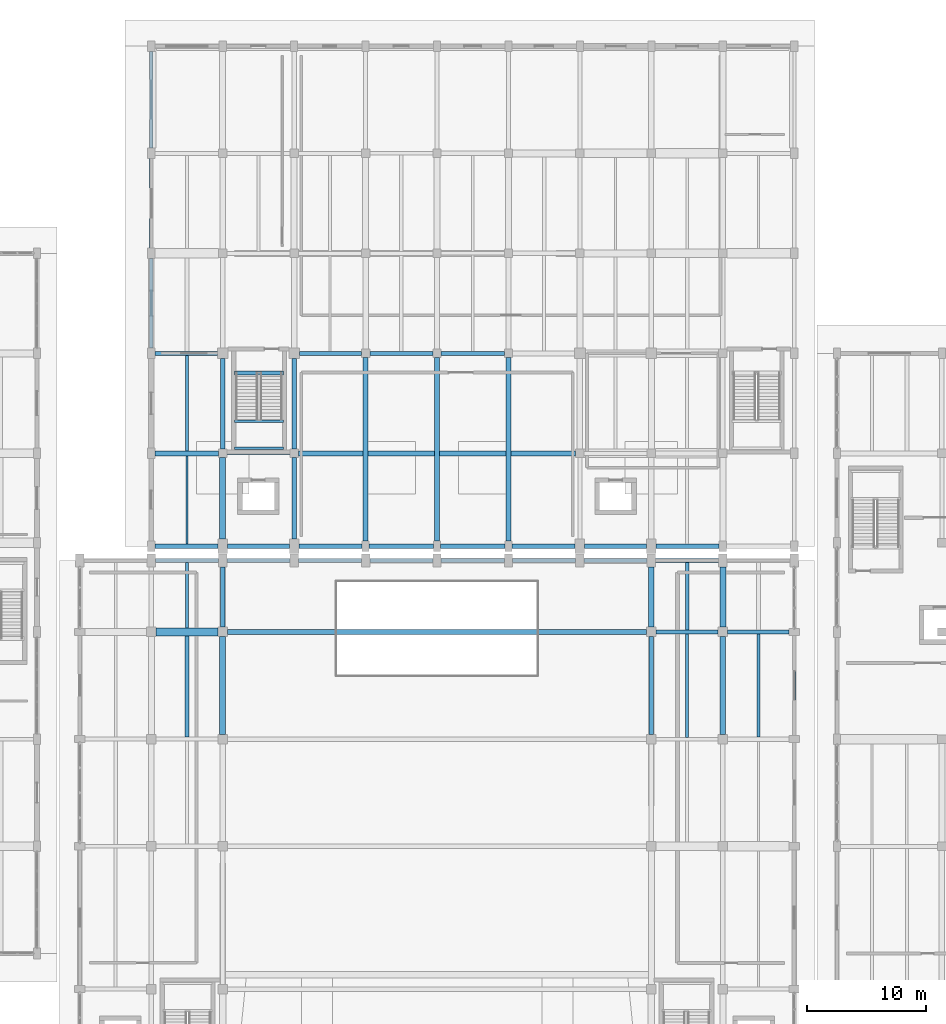
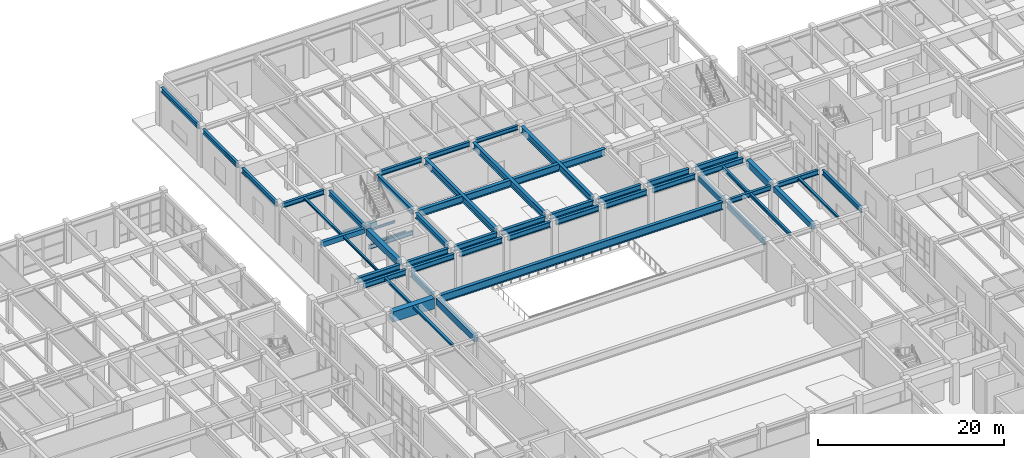
# One storey, part 43 of 91: 54 beams.
"""IFC4 building model written with IfcOpenShell, lengths in metres."""

from ifc_helpers import new_model, si_unit, direction, frame, origin, origin_2d, place, context, subcontext, project, spatial, rectangle, i_section, extrude, material, material_profile, profile_set, type_object, element, save


model = new_model("IFC4")

# Units and contexts
model_context = context("Model", 3, precision=1e-05, world=origin(), true_north=direction((0.0, 1.0)))
body_context = subcontext(model_context, "Body", "Model", "MODEL_VIEW")
ifc_project = project(units=[si_unit("LENGTHUNIT", "METRE"), si_unit("AREAUNIT", "SQUARE_METRE"), si_unit("VOLUMEUNIT", "CUBIC_METRE"), si_unit("PLANEANGLEUNIT", "RADIAN"), si_unit("MASSUNIT", "GRAM", prefix="KILO")], contexts=[model_context])

# Site, building, storey
site_placement = place(None, origin())
site = spatial("IfcSite", under=ifc_project, at=site_placement, CompositionType="ELEMENT")
building_placement = place(site_placement, origin())
building = spatial("IfcBuilding", under=site, at=building_placement, Name="Vaelkrest Opera House", CompositionType="ELEMENT")
storey_placement = place(building_placement, origin())
storey = spatial("IfcBuildingStorey", under=building, at=storey_placement, Name="L00", CompositionType="ELEMENT", Elevation=0.0)

# Beams
ifc_material_1 = material(Name="Concrete C50/60", Category="concrete")
ifc_material_profile_1 = material_profile(ifc_material_1, rectangle(XDim=0.39990234375, YDim=0.64990234375, at=origin_2d()), Name="RCB400X650")
ifc_profile_set_1 = profile_set([ifc_material_profile_1], Name="Concrete C50/60")
beam_type_1 = type_object("IfcBeamType", Name="B01", PredefinedType="BEAM", material=ifc_profile_set_1)
beam_1_placement = place(storey_placement, frame((-23.699951171875, 25.199951171875, 4.7548828125), z_axis=(1.0, 0.0, 0.0), x_axis=(0.0, 1.0, 0.0)))
element("IfcBeam", 1, at=beam_1_placement, inside=storey, type_object=beam_type_1, Name="Beam BM-V2-L00-0757", PredefinedType="BEAM", context=body_context, shape_type="SweptSolid", body=[
    extrude(rectangle(XDim=0.39990234375, YDim=0.64990234375, at=origin_2d()), origin(), (0.0, 0.0, 1.0), 5.349853515625),
])
ifc_material_profile_2 = material_profile(ifc_material_1, rectangle(XDim=0.449951171875, YDim=0.75, at=origin_2d()), Name="RCB450X750")
ifc_profile_set_2 = profile_set([ifc_material_profile_2], Name="Concrete C50/60")
beam_type_2 = type_object("IfcBeamType", Name="B02", PredefinedType="BEAM", material=ifc_profile_set_2)
beam_2_placement = place(storey_placement, frame((18.0, 10.60009765625, 4.705078125), z_axis=(0.0, 1.0, 0.0), x_axis=(-1.0, 0.0, 0.0)))
element("IfcBeam", 2, at=beam_2_placement, inside=storey, type_object=beam_type_2, Name="Beam BM-V1-L00-0175", PredefinedType="BEAM", context=body_context, shape_type="SweptSolid", body=[
    extrude(rectangle(XDim=0.449951171875, YDim=0.75, at=origin_2d()), origin(), (0.0, 0.0, 1.0), 5.0498046875),
])
beam_3_placement = place(storey_placement, frame((24.0, 1.60009765625, 4.705078125), z_axis=(0.0, 1.0, 0.0), x_axis=(-1.0, 0.0, 0.0)))
element("IfcBeam", 3, at=beam_3_placement, inside=storey, type_object=beam_type_2, Name="Beam BM-V1-L00-0179", PredefinedType="BEAM", context=body_context, shape_type="SweptSolid", body=[
    extrude(rectangle(XDim=0.449951171875, YDim=0.75, at=origin_2d()), origin(), (0.0, 0.0, 1.0), 8.199951171875),
])
ifc_material_profile_3 = material_profile(ifc_material_1, rectangle(XDim=0.5, YDim=0.85009765625, at=origin_2d()), Name="RCB500X850")
ifc_profile_set_3 = profile_set([ifc_material_profile_3], Name="Concrete C50/60")
beam_type_3 = type_object("IfcBeamType", Name="B03", PredefinedType="BEAM", material=ifc_profile_set_3)
beam_4_placement = place(storey_placement, frame((-18.0, 1.60009765625, 4.655029296875), z_axis=(0.0, 1.0, 0.0), x_axis=(-1.0, 0.0, 0.0)))
element("IfcBeam", 4, at=beam_4_placement, inside=storey, type_object=beam_type_3, Name="Beam BM-V1-L00-0160", PredefinedType="BEAM", context=body_context, shape_type="SweptSolid", body=[
    extrude(rectangle(XDim=0.5, YDim=0.85009765625, at=origin_2d()), origin(), (0.0, 0.0, 1.0), 8.199951171875),
])
beam_5_placement = place(storey_placement, frame((24.0, 10.60009765625, 4.655029296875), z_axis=(0.0, 1.0, 0.0), x_axis=(-1.0, 0.0, 0.0)))
element("IfcBeam", 5, at=beam_5_placement, inside=storey, type_object=beam_type_3, Name="Beam BM-V1-L00-0180", PredefinedType="BEAM", context=body_context, shape_type="SweptSolid", body=[
    extrude(rectangle(XDim=0.5, YDim=0.85009765625, at=origin_2d()), origin(), (0.0, 0.0, 1.0), 5.0498046875),
])
beam_6_placement = place(storey_placement, frame((-18.0, 18.0, 4.655029296875), z_axis=(0.0, 1.0, 0.0), x_axis=(-1.0, 0.0, 0.0)))
element("IfcBeam", 6, at=beam_6_placement, inside=storey, type_object=beam_type_3, Name="Beam BM-V2-L00-0800", PredefinedType="BEAM", context=body_context, shape_type="SweptSolid", body=[
    extrude(rectangle(XDim=0.5, YDim=0.85009765625, at=origin_2d()), origin(), (0.0, 0.0, 1.0), 6.85009765625),
])
ifc_material_profile_4 = material_profile(ifc_material_1, rectangle(XDim=0.699951171875, YDim=1.35009765625, at=origin_2d()), Name="RCB700X1350")
ifc_profile_set_4 = profile_set([ifc_material_profile_4], Name="Concrete C50/60")
beam_type_4 = type_object("IfcBeamType", Name="B06", PredefinedType="BEAM", material=ifc_profile_set_4)
beam_7_placement = place(storey_placement, frame((-23.60009765625, 10.199951171875, 4.405029296875), z_axis=(1.0, 0.0, 0.0), x_axis=(0.0, 1.0, 0.0)))
element("IfcBeam", 7, at=beam_7_placement, inside=storey, type_object=beam_type_4, Name="Beam BM-V1-L00-0127", PredefinedType="BEAM", context=body_context, shape_type="SweptSolid", body=[
    extrude(rectangle(XDim=0.699951171875, YDim=1.35009765625, at=origin_2d()), origin(), (0.0, 0.0, 1.0), 5.2001953125),
])
ifc_material_2 = material(Name="Steel A992 Gr50", Category="steel")
ifc_material_profile_5 = material_profile(ifc_material_2, i_section(OverallWidth=0.323974609375, OverallDepth=0.611083984375, WebThickness=0.0126953125, FlangeThickness=0.01904296875, at=origin_2d()), Name="W24X104")
ifc_profile_set_5 = profile_set([ifc_material_profile_5], Name="Steel A992 Gr50")
beam_type_5 = type_object("IfcBeamType", Name="B08", PredefinedType="BEAM", material=ifc_profile_set_5)
beam_8_placement = place(storey_placement, frame((18.39990234375, 10.199951171875, 4.7744140625), z_axis=(1.0, 0.0, 0.0), x_axis=(0.0, 1.0, 0.0)))
element("IfcBeam", 8, at=beam_8_placement, inside=storey, type_object=beam_type_5, Name="Beam BM-V1-L00-0129", PredefinedType="BEAM", context=body_context, shape_type="SweptSolid", body=[
    extrude(i_section(OverallWidth=0.323974609375, OverallDepth=0.611083984375, WebThickness=0.0126953125, FlangeThickness=0.01904296875, at=origin_2d()), origin(), (0.0, 0.0, 1.0), 5.2001953125),
])
beam_9_placement = place(storey_placement, frame((-23.699951171875, 33.60009765625, 4.7744140625), z_axis=(1.0, 0.0, 0.0), x_axis=(0.0, 1.0, 0.0)))
element("IfcBeam", 9, at=beam_9_placement, inside=storey, type_object=beam_type_5, Name="Beam BM-V2-L00-0761", PredefinedType="BEAM", context=body_context, shape_type="SweptSolid", body=[
    extrude(i_section(OverallWidth=0.323974609375, OverallDepth=0.611083984375, WebThickness=0.0126953125, FlangeThickness=0.01904296875, at=origin_2d()), origin(), (0.0, 0.0, 1.0), 5.25),
])
ifc_material_profile_6 = material_profile(ifc_material_2, i_section(OverallWidth=0.327880859375, OverallDepth=0.6279296875, WebThickness=0.0166015625, FlangeThickness=0.027587890625, at=origin_2d()), Name="W24X146")
ifc_profile_set_6 = profile_set([ifc_material_profile_6], Name="Steel A992 Gr50")
beam_type_6 = type_object("IfcBeamType", Name="B09", PredefinedType="BEAM", material=ifc_profile_set_6)
beam_10_placement = place(storey_placement, frame((24.39990234375, 10.199951171875, 4.76611328125), z_axis=(1.0, 0.0, 0.0), x_axis=(0.0, 1.0, 0.0)))
element("IfcBeam", 10, at=beam_10_placement, inside=storey, type_object=beam_type_6, Name="Beam BM-V1-L00-0130", PredefinedType="BEAM", context=body_context, shape_type="SweptSolid", body=[
    extrude(i_section(OverallWidth=0.327880859375, OverallDepth=0.6279296875, WebThickness=0.0166015625, FlangeThickness=0.027587890625, at=origin_2d()), origin(), (0.0, 0.0, 1.0), 5.150146484375),
])
beam_11_placement = place(storey_placement, frame((-11.550048828125, 33.60009765625, 4.76611328125), z_axis=(1.0, 0.0, 0.0), x_axis=(0.0, 1.0, 0.0)))
element("IfcBeam", 11, at=beam_11_placement, inside=storey, type_object=beam_type_6, Name="Beam BM-V2-L00-0762", PredefinedType="BEAM", context=body_context, shape_type="SweptSolid", body=[
    extrude(i_section(OverallWidth=0.327880859375, OverallDepth=0.6279296875, WebThickness=0.0166015625, FlangeThickness=0.027587890625, at=origin_2d()), origin(), (0.0, 0.0, 1.0), 5.199951171875),
])
ifc_material_profile_7 = material_profile(ifc_material_2, i_section(OverallWidth=0.35498046875, OverallDepth=0.695068359375, WebThickness=0.015380859375, FlangeThickness=0.02490234375, at=origin_2d()), Name="W27X146")
ifc_profile_set_7 = profile_set([ifc_material_profile_7], Name="Steel A992 Gr50")
beam_type_7 = type_object("IfcBeamType", Name="B10", PredefinedType="BEAM", material=ifc_profile_set_7)
beam_12_placement = place(storey_placement, frame((-18.0, 10.60009765625, 4.732421875), z_axis=(0.0, 1.0, 0.0), x_axis=(-1.0, 0.0, 0.0)))
element("IfcBeam", 12, at=beam_12_placement, inside=storey, type_object=beam_type_7, Name="Beam BM-V1-L00-0161", PredefinedType="BEAM", context=body_context, shape_type="SweptSolid", body=[
    extrude(i_section(OverallWidth=0.35498046875, OverallDepth=0.695068359375, WebThickness=0.015380859375, FlangeThickness=0.02490234375, at=origin_2d()), origin(), (0.0, 0.0, 1.0), 5.0498046875),
])
beam_13_placement = place(storey_placement, frame((-18.0, 25.550048828125, 4.732421875), z_axis=(0.0, 1.0, 0.0), x_axis=(-1.0, 0.0, 0.0)))
element("IfcBeam", 13, at=beam_13_placement, inside=storey, type_object=beam_type_7, Name="Beam BM-V2-L00-0801", PredefinedType="BEAM", context=body_context, shape_type="SweptSolid", body=[
    extrude(i_section(OverallWidth=0.35498046875, OverallDepth=0.695068359375, WebThickness=0.015380859375, FlangeThickness=0.02490234375, at=origin_2d()), origin(), (0.0, 0.0, 1.0), 7.599853515625),
])
beam_14_placement = place(storey_placement, frame((-12.0, 18.0, 4.732421875), z_axis=(0.0, 1.0, 0.0), x_axis=(-1.0, 0.0, 0.0)))
element("IfcBeam", 14, at=beam_14_placement, inside=storey, type_object=beam_type_7, Name="Beam BM-V2-L00-0805", PredefinedType="BEAM", context=body_context, shape_type="SweptSolid", body=[
    extrude(i_section(OverallWidth=0.35498046875, OverallDepth=0.695068359375, WebThickness=0.015380859375, FlangeThickness=0.02490234375, at=origin_2d()), origin(), (0.0, 0.0, 1.0), 6.85009765625),
])
ifc_material_profile_8 = material_profile(ifc_material_2, i_section(OverallWidth=0.39892578125, OverallDepth=0.85498046875, WebThickness=0.018310546875, FlangeThickness=0.029296875, at=origin_2d()), Name="W33X201")
ifc_profile_set_8 = profile_set([ifc_material_profile_8], Name="Steel A992 Gr50")
beam_type_8 = type_object("IfcBeamType", Name="B12", PredefinedType="BEAM", material=ifc_profile_set_8)
for number, where, z_axis, x_axis, name in (
    (15, (-6.0, 17.85009765625, 4.652587890625), (0.0, 1.0, 0.0), (-1.0, 0.0, 0.0), "Beam BM-V2-L00-0810"),
    (16, (0.0, 17.85009765625, 4.652587890625), (0.0, 1.0, 0.0), (-1.0, 0.0, 0.0), "Beam BM-V2-L00-0814"),
    (17, (6.0, 17.85009765625, 4.652587890625), (0.0, 1.0, 0.0), (-1.0, 0.0, 0.0), "Beam BM-V2-L00-0818"),
):
    element("IfcBeam", number, at=place(storey_placement, frame(where, z_axis=z_axis, x_axis=x_axis)), inside=storey, type_object=beam_type_8, Name=name, PredefinedType="BEAM", context=body_context, shape_type="SweptSolid", body=[
        extrude(i_section(OverallWidth=0.39892578125, OverallDepth=0.85498046875, WebThickness=0.018310546875, FlangeThickness=0.029296875, at=origin_2d()), origin(), (0.0, 0.0, 1.0), 15.39990234375),
    ])
ifc_material_profile_9 = material_profile(ifc_material_2, i_section(OverallWidth=0.41796875, OverallDepth=0.927001953125, WebThickness=0.019287109375, FlangeThickness=0.031982421875, at=origin_2d()), Name="W36X231")
ifc_profile_set_9 = profile_set([ifc_material_profile_9], Name="Steel A992 Gr50")
beam_type_9 = type_object("IfcBeamType", Name="B13", PredefinedType="BEAM", material=ifc_profile_set_9)
beam_15_placement = place(storey_placement, frame((-11.64990234375, 25.199951171875, 4.616455078125), z_axis=(1.0, 0.0, 0.0), x_axis=(0.0, 1.0, 0.0)))
element("IfcBeam", 18, at=beam_15_placement, inside=storey, type_object=beam_type_9, Name="Beam BM-V2-L00-0758", PredefinedType="BEAM", context=body_context, shape_type="SweptSolid", body=[
    extrude(i_section(OverallWidth=0.41796875, OverallDepth=0.927001953125, WebThickness=0.019287109375, FlangeThickness=0.031982421875, at=origin_2d()), origin(), (0.0, 0.0, 1.0), 23.2998046875),
])
ifc_material_profile_10 = material_profile(ifc_material_2, i_section(OverallWidth=0.35791015625, OverallDepth=0.7060546875, WebThickness=0.018310546875, FlangeThickness=0.0302734375, at=origin_2d()), Name="W27X178")
ifc_profile_set_10 = profile_set([ifc_material_profile_10], Name="Steel A992 Gr50")
beam_type_10 = type_object("IfcBeamType", Name="B14", PredefinedType="BEAM", material=ifc_profile_set_10)
beam_16_placement = place(storey_placement, frame((18.0, 1.60009765625, 4.72705078125), z_axis=(0.0, 1.0, 0.0), x_axis=(-1.0, 0.0, 0.0)))
element("IfcBeam", 19, at=beam_16_placement, inside=storey, type_object=beam_type_10, Name="Beam BM-V1-L00-0174", PredefinedType="BEAM", context=body_context, shape_type="SweptSolid", body=[
    extrude(i_section(OverallWidth=0.35791015625, OverallDepth=0.7060546875, WebThickness=0.018310546875, FlangeThickness=0.0302734375, at=origin_2d()), origin(), (0.0, 0.0, 1.0), 8.199951171875),
])
beam_17_placement = place(storey_placement, frame((-12.0, 25.550048828125, 4.72705078125), z_axis=(0.0, 1.0, 0.0), x_axis=(-1.0, 0.0, 0.0)))
element("IfcBeam", 20, at=beam_17_placement, inside=storey, type_object=beam_type_10, Name="Beam BM-V2-L00-0806", PredefinedType="BEAM", context=body_context, shape_type="SweptSolid", body=[
    extrude(i_section(OverallWidth=0.35791015625, OverallDepth=0.7060546875, WebThickness=0.018310546875, FlangeThickness=0.0302734375, at=origin_2d()), origin(), (0.0, 0.0, 1.0), 7.599853515625),
])
ifc_material_profile_11 = material_profile(ifc_material_2, i_section(OverallWidth=0.39990234375, OverallDepth=1.02197265625, WebThickness=0.01904296875, FlangeThickness=0.0361328125, at=origin_2d()), Name="W40X249")
ifc_profile_set_11 = profile_set([ifc_material_profile_11], Name="Steel A992 Gr50")
beam_type_11 = type_object("IfcBeamType", Name="B15", PredefinedType="BEAM", material=ifc_profile_set_11)
beam_18_placement = place(storey_placement, frame((-17.60009765625, 10.199951171875, 4.569091796875), z_axis=(1.0, 0.0, 0.0), x_axis=(0.0, 1.0, 0.0)))
element("IfcBeam", 21, at=beam_18_placement, inside=storey, type_object=beam_type_11, Name="Beam BM-V1-L00-0128", PredefinedType="BEAM", context=body_context, shape_type="SweptSolid", body=[
    extrude(i_section(OverallWidth=0.39990234375, OverallDepth=1.02197265625, WebThickness=0.01904296875, FlangeThickness=0.0361328125, at=origin_2d()), origin(), (0.0, 0.0, 1.0), 35.2001953125),
])
ifc_material_profile_12 = material_profile(ifc_material_2, i_section(OverallWidth=0.326904296875, OverallDepth=0.6220703125, WebThickness=0.015380859375, FlangeThickness=0.0244140625, at=origin_2d()), Name="W24X131")
ifc_profile_set_12 = profile_set([ifc_material_profile_12], Name="Steel A992 Gr50")
beam_type_12 = type_object("IfcBeamType", Name="B19", PredefinedType="BEAM", material=ifc_profile_set_12)
beam_19_placement = place(storey_placement, frame((-5.64990234375, 33.60009765625, 4.76904296875), z_axis=(1.0, 0.0, 0.0), x_axis=(0.0, 1.0, 0.0)))
element("IfcBeam", 22, at=beam_19_placement, inside=storey, type_object=beam_type_12, Name="Beam BM-V2-L00-0763", PredefinedType="BEAM", context=body_context, shape_type="SweptSolid", body=[
    extrude(i_section(OverallWidth=0.326904296875, OverallDepth=0.6220703125, WebThickness=0.015380859375, FlangeThickness=0.0244140625, at=origin_2d()), origin(), (0.0, 0.0, 1.0), 5.2998046875),
])
ifc_material_profile_13 = material_profile(ifc_material_2, i_section(OverallWidth=0.31494140625, OverallDepth=0.551025390625, WebThickness=0.01513671875, FlangeThickness=0.0244140625, at=origin_2d()), Name="W21X122")
ifc_profile_set_13 = profile_set([ifc_material_profile_13], Name="Steel A992 Gr50")
beam_type_13 = type_object("IfcBeamType", Name="B20", PredefinedType="BEAM", material=ifc_profile_set_13)
beam_20_placement = place(storey_placement, frame((0.35009765625, 33.60009765625, 4.804443359375), z_axis=(1.0, 0.0, 0.0), x_axis=(0.0, 1.0, 0.0)))
element("IfcBeam", 23, at=beam_20_placement, inside=storey, type_object=beam_type_13, Name="Beam BM-V2-L00-0764", PredefinedType="BEAM", context=body_context, shape_type="SweptSolid", body=[
    extrude(i_section(OverallWidth=0.31494140625, OverallDepth=0.551025390625, WebThickness=0.01513671875, FlangeThickness=0.0244140625, at=origin_2d()), origin(), (0.0, 0.0, 1.0), 5.2998046875),
])
ifc_material_profile_14 = material_profile(ifc_material_2, i_section(OverallWidth=0.202880859375, OverallDepth=0.302978515625, WebThickness=0.007568359375, FlangeThickness=0.01318359375, at=origin_2d()), Name="W12X40")
ifc_profile_set_14 = profile_set([ifc_material_profile_14], Name="Steel A992 Gr50")
beam_type_14 = type_object("IfcBeamType", Name="J02", PredefinedType="JOIST", material=ifc_profile_set_14)
beam_21_placement = place(storey_placement, frame((-21.0, 17.577392578125, 4.928466796875), z_axis=(0.0, 1.0, 0.0), x_axis=(-1.0, 0.0, 0.0)))
element("IfcBeam", 24, at=beam_21_placement, inside=storey, type_object=beam_type_14, Name="Floor joist JST-V2-L00-0842", PredefinedType="JOIST", context=body_context, shape_type="SweptSolid", body=[
    extrude(i_section(OverallWidth=0.202880859375, OverallDepth=0.302978515625, WebThickness=0.007568359375, FlangeThickness=0.01318359375, at=origin_2d()), origin(), (0.0, 0.0, 1.0), 7.422607421875),
])
for number, where, z_axis, x_axis, name in (
    (25, (-17.02001953125, 25.6201171875, 2.348388671875), (1.0, 0.0, 0.0), (0.0, 1.0, 0.0), "Stair landing bearer beam ST05 L00-1N"),
    (26, (-17.02001953125, 27.909912109375, 2.348388671875), (1.0, 0.0, 0.0), (0.0, 1.0, 0.0), "Stair landing bearer beam ST05 L00-1F"),
):
    element("IfcBeam", number, at=place(storey_placement, frame(where, z_axis=z_axis, x_axis=x_axis)), inside=storey, type_object=beam_type_14, Name=name, PredefinedType="JOIST", context=body_context, shape_type="SweptSolid", body=[
        extrude(i_section(OverallWidth=0.202880859375, OverallDepth=0.302978515625, WebThickness=0.007568359375, FlangeThickness=0.01318359375, at=origin_2d()), origin(), (0.0, 0.0, 1.0), 4.14013671875),
    ])
ifc_material_profile_15 = material_profile(ifc_material_2, i_section(OverallWidth=0.25390625, OverallDepth=0.305908203125, WebThickness=0.0087890625, FlangeThickness=0.0146484375, at=origin_2d()), Name="W12X53")
ifc_profile_set_15 = profile_set([ifc_material_profile_15], Name="Steel A992 Gr50")
beam_type_15 = type_object("IfcBeamType", Name="J03", PredefinedType="JOIST", material=ifc_profile_set_15)
beam_22_placement = place(storey_placement, frame((27.0, 1.39990234375, 4.927001953125), z_axis=(0.0, 1.0, 0.0), x_axis=(-1.0, 0.0, 0.0)))
element("IfcBeam", 27, at=beam_22_placement, inside=storey, type_object=beam_type_15, Name="Floor joist JST-V1-L00-0203", PredefinedType="JOIST", context=body_context, shape_type="SweptSolid", body=[
    extrude(i_section(OverallWidth=0.25390625, OverallDepth=0.305908203125, WebThickness=0.0087890625, FlangeThickness=0.0146484375, at=origin_2d()), origin(), (0.0, 0.0, 1.0), 8.635986328125),
])
beam_23_placement = place(storey_placement, frame((-21.0, 25.39990234375, 4.927001953125), z_axis=(0.0, 1.0, 0.0), x_axis=(-1.0, 0.0, 0.0)))
element("IfcBeam", 28, at=beam_23_placement, inside=storey, type_object=beam_type_15, Name="Floor joist JST-V2-L00-0843", PredefinedType="JOIST", context=body_context, shape_type="SweptSolid", body=[
    extrude(i_section(OverallWidth=0.25390625, OverallDepth=0.305908203125, WebThickness=0.0087890625, FlangeThickness=0.0146484375, at=origin_2d()), origin(), (0.0, 0.0, 1.0), 8.0380859375),
])
ifc_material_profile_16 = material_profile(ifc_material_2, i_section(OverallWidth=0.304931640625, OverallDepth=0.30810546875, WebThickness=0.010009765625, FlangeThickness=0.015380859375, at=origin_2d()), Name="W12X65")
ifc_profile_set_16 = profile_set([ifc_material_profile_16], Name="Steel A992 Gr50")
beam_type_16 = type_object("IfcBeamType", Name="J04", PredefinedType="JOIST", material=ifc_profile_set_16)
beam_24_placement = place(storey_placement, frame((-21.0, 1.364013671875, 4.926025390625), z_axis=(0.0, 1.0, 0.0), x_axis=(-1.0, 0.0, 0.0)))
element("IfcBeam", 29, at=beam_24_placement, inside=storey, type_object=beam_type_16, Name="Floor joist JST-V1-L00-0194", PredefinedType="JOIST", context=body_context, shape_type="SweptSolid", body=[
    extrude(i_section(OverallWidth=0.304931640625, OverallDepth=0.30810546875, WebThickness=0.010009765625, FlangeThickness=0.015380859375, at=origin_2d()), origin(), (0.0, 0.0, 1.0), 8.486083984375),
])
ifc_material_profile_17 = material_profile(ifc_material_2, i_section(OverallWidth=0.2548828125, OverallDepth=0.35693359375, WebThickness=0.010498046875, FlangeThickness=0.018310546875, at=origin_2d()), Name="W14X68")
ifc_profile_set_17 = profile_set([ifc_material_profile_17], Name="Steel A992 Gr50")
beam_type_17 = type_object("IfcBeamType", Name="J05", PredefinedType="JOIST", material=ifc_profile_set_17)
beam_25_placement = place(storey_placement, frame((-21.0, 10.550048828125, 4.901611328125), z_axis=(0.0, 1.0, 0.0), x_axis=(-1.0, 0.0, 0.0)))
element("IfcBeam", 30, at=beam_25_placement, inside=storey, type_object=beam_type_17, Name="Floor joist JST-V1-L00-0195", PredefinedType="JOIST", context=body_context, shape_type="SweptSolid", body=[
    extrude(i_section(OverallWidth=0.2548828125, OverallDepth=0.35693359375, WebThickness=0.010498046875, FlangeThickness=0.018310546875, at=origin_2d()), origin(), (0.0, 0.0, 1.0), 5.472412109375),
])
ifc_material_profile_18 = material_profile(ifc_material_2, i_section(OverallWidth=0.280029296875, OverallDepth=0.462890625, WebThickness=0.0107421875, FlangeThickness=0.017333984375, at=origin_2d()), Name="W18X76")
ifc_profile_set_18 = profile_set([ifc_material_profile_18], Name="Steel A992 Gr50")
beam_type_18 = type_object("IfcBeamType", Name="J09", PredefinedType="JOIST", material=ifc_profile_set_18)
beam_26_placement = place(storey_placement, frame((21.0, 1.357421875, 4.848388671875), z_axis=(0.0, 1.0, 0.0), x_axis=(-1.0, 0.0, 0.0)))
element("IfcBeam", 31, at=beam_26_placement, inside=storey, type_object=beam_type_18, Name="Floor joist JST-V1-L00-0199", PredefinedType="JOIST", context=body_context, shape_type="SweptSolid", body=[
    extrude(i_section(OverallWidth=0.280029296875, OverallDepth=0.462890625, WebThickness=0.0107421875, FlangeThickness=0.017333984375, at=origin_2d()), origin(), (0.0, 0.0, 1.0), 8.6806640625),
])
ifc_material_profile_19 = material_profile(ifc_material_2, i_section(OverallWidth=0.282958984375, OverallDepth=0.471923828125, WebThickness=0.013671875, FlangeThickness=0.022216796875, at=origin_2d()), Name="W18X97")
ifc_profile_set_19 = profile_set([ifc_material_profile_19], Name="Steel A992 Gr50")
beam_type_19 = type_object("IfcBeamType", Name="J10", PredefinedType="JOIST", material=ifc_profile_set_19)
beam_27_placement = place(storey_placement, frame((21.0, 10.362060546875, 4.843994140625), z_axis=(0.0, 1.0, 0.0), x_axis=(-1.0, 0.0, 0.0)))
element("IfcBeam", 32, at=beam_27_placement, inside=storey, type_object=beam_type_19, Name="Floor joist JST-V1-L00-0200", PredefinedType="JOIST", context=body_context, shape_type="SweptSolid", body=[
    extrude(i_section(OverallWidth=0.282958984375, OverallDepth=0.471923828125, WebThickness=0.013671875, FlangeThickness=0.022216796875, at=origin_2d()), origin(), (0.0, 0.0, 1.0), 5.660400390625),
])
ifc_material_profile_20 = material_profile(ifc_material_1, rectangle(XDim=0.35009765625, YDim=0.449951171875, at=origin_2d()), Name="RCB350X450")
ifc_profile_set_20 = profile_set([ifc_material_profile_20], Name="Concrete C50/60")
beam_type_20 = type_object("IfcBeamType", Name="LN01", PredefinedType="LINTEL", material=ifc_profile_set_20)
beam_28_placement = place(storey_placement, frame((-17.02001953125, 31.949951171875, -0.22509765625), z_axis=(1.0, 0.0, 0.0), x_axis=(0.0, 1.0, 0.0)))
element("IfcBeam", 33, at=beam_28_placement, inside=storey, type_object=beam_type_20, Name="Stairwell trimmer beam ST05 L00", PredefinedType="LINTEL", context=body_context, shape_type="SweptSolid", body=[
    extrude(rectangle(XDim=0.35009765625, YDim=0.449951171875, at=origin_2d()), origin(), (0.0, 0.0, 1.0), 4.14013671875),
])
ifc_material_profile_21 = material_profile(ifc_material_2, i_section(OverallWidth=0.214111328125, OverallDepth=0.549072265625, WebThickness=0.0146484375, FlangeThickness=0.023681640625, at=origin_2d()), Name="W21X93")
ifc_profile_set_21 = profile_set([ifc_material_profile_21], Name="Steel A992 Gr50")
beam_type_21 = type_object("IfcBeamType", Name="LN03", PredefinedType="LINTEL", material=ifc_profile_set_21)
beam_29_placement = place(storey_placement, frame((-17.75, 25.199951171875, 2.300048828125), z_axis=(1.0, 0.0, 0.0), x_axis=(0.0, 1.0, 0.0)))
element("IfcBeam", 34, at=beam_29_placement, inside=storey, type_object=beam_type_21, Name="Portal lintel L00-3", PredefinedType="LINTEL", context=body_context, shape_type="SweptSolid", body=[
    extrude(i_section(OverallWidth=0.214111328125, OverallDepth=0.549072265625, WebThickness=0.0146484375, FlangeThickness=0.023681640625, at=origin_2d()), origin(), (0.0, 0.0, 1.0), 5.5),
])
ifc_material_profile_22 = material_profile(ifc_material_2, i_section(OverallWidth=0.323974609375, OverallDepth=0.611083984375, WebThickness=0.0126953125, FlangeThickness=0.01904296875, at=origin_2d()), Name="W24X104")
ifc_profile_set_22 = profile_set([ifc_material_profile_22], Name="Steel A992 Gr50")
beam_type_22 = type_object("IfcBeamType", Name="SP01", PredefinedType="SPANDREL", material=ifc_profile_set_22)
beam_30_placement = place(storey_placement, frame((30.0, 1.5, 4.7744140625), z_axis=(0.0, 1.0, 0.0), x_axis=(-1.0, 0.0, 0.0)))
element("IfcBeam", 35, at=beam_30_placement, inside=storey, type_object=beam_type_22, Name="Beam BM-V1-L00-0187", PredefinedType="SPANDREL", context=body_context, shape_type="SweptSolid", body=[
    extrude(i_section(OverallWidth=0.323974609375, OverallDepth=0.611083984375, WebThickness=0.0126953125, FlangeThickness=0.01904296875, at=origin_2d()), origin(), (0.0, 0.0, 1.0), 8.39990234375),
])
for number, where, z_axis, x_axis, name in (
    (36, (-24.0, 34.050048828125, 4.7744140625), (0.0, 1.0, 0.0), (-1.0, 0.0, 0.0), "Beam BM-V2-L00-0797"),
    (37, (-24.0, 42.449951171875, 4.7744140625), (0.0, 1.0, 0.0), (-1.0, 0.0, 0.0), "Beam BM-V2-L00-0798"),
):
    element("IfcBeam", number, at=place(storey_placement, frame(where, z_axis=z_axis, x_axis=x_axis)), inside=storey, type_object=beam_type_22, Name=name, PredefinedType="SPANDREL", context=body_context, shape_type="SweptSolid", body=[
        extrude(i_section(OverallWidth=0.323974609375, OverallDepth=0.611083984375, WebThickness=0.0126953125, FlangeThickness=0.01904296875, at=origin_2d()), origin(), (0.0, 0.0, 1.0), 7.5),
    ])
beam_31_placement = place(storey_placement, frame((-24.0, 50.85009765625, 4.799560546875), z_axis=(0.0, 1.0, 0.0), x_axis=(-1.0, 0.0, 0.0)))
element("IfcBeam", 38, at=beam_31_placement, inside=storey, type_object=beam_type_22, Name="Beam BM-V2-L00-0799", PredefinedType="SPANDREL", context=body_context, shape_type="SweptSolid", body=[
    extrude(i_section(OverallWidth=0.323974609375, OverallDepth=0.611083984375, WebThickness=0.0126953125, FlangeThickness=0.01904296875, at=origin_2d()), origin(), (0.0, 0.0, 1.0), 8.099853515625),
])
ifc_material_profile_23 = material_profile(ifc_material_2, i_section(OverallWidth=0.35498046875, OverallDepth=0.695068359375, WebThickness=0.015380859375, FlangeThickness=0.02490234375, at=origin_2d()), Name="W27X146")
ifc_profile_set_23 = profile_set([ifc_material_profile_23], Name="Steel A992 Gr50")
beam_type_23 = type_object("IfcBeamType", Name="SP02", PredefinedType="SPANDREL", material=ifc_profile_set_23)
for number, where, z_axis, x_axis, name in (
    (39, (-23.64990234375, 16.199951171875, 4.732421875), (1.0, 0.0, 0.0), (0.0, 1.0, 0.0), "Beam BM-V1-L00-0132"),
    (40, (-17.64990234375, 16.199951171875, 4.732421875), (1.0, 0.0, 0.0), (0.0, 1.0, 0.0), "Beam BM-V1-L00-0133"),
    (41, (-11.64990234375, 16.199951171875, 4.732421875), (1.0, 0.0, 0.0), (0.0, 1.0, 0.0), "Beam BM-V1-L00-0134"),
    (42, (-5.64990234375, 16.199951171875, 4.732421875), (1.0, 0.0, 0.0), (0.0, 1.0, 0.0), "Beam BM-V1-L00-0135"),
    (43, (0.35009765625, 16.199951171875, 4.732421875), (1.0, 0.0, 0.0), (0.0, 1.0, 0.0), "Beam BM-V1-L00-0136"),
    (44, (6.35009765625, 16.199951171875, 4.732421875), (1.0, 0.0, 0.0), (0.0, 1.0, 0.0), "Beam BM-V1-L00-0137"),
    (45, (12.35009765625, 16.199951171875, 4.732421875), (1.0, 0.0, 0.0), (0.0, 1.0, 0.0), "Beam BM-V1-L00-0138"),
    (46, (18.35009765625, 16.199951171875, 4.732421875), (1.0, 0.0, 0.0), (0.0, 1.0, 0.0), "Beam BM-V1-L00-0139"),
):
    element("IfcBeam", number, at=place(storey_placement, frame(where, z_axis=z_axis, x_axis=x_axis)), inside=storey, type_object=beam_type_23, Name=name, PredefinedType="SPANDREL", context=body_context, shape_type="SweptSolid", body=[
        extrude(i_section(OverallWidth=0.35498046875, OverallDepth=0.695068359375, WebThickness=0.015380859375, FlangeThickness=0.02490234375, at=origin_2d()), origin(), (0.0, 0.0, 1.0), 5.2998046875),
    ])
beam_32_placement = place(storey_placement, frame((-23.699951171875, 17.39990234375, 4.732421875), z_axis=(1.0, 0.0, 0.0), x_axis=(0.0, 1.0, 0.0)))
element("IfcBeam", 47, at=beam_32_placement, inside=storey, type_object=beam_type_23, Name="Beam BM-V2-L00-0748", PredefinedType="SPANDREL", context=body_context, shape_type="SweptSolid", body=[
    extrude(i_section(OverallWidth=0.35498046875, OverallDepth=0.695068359375, WebThickness=0.015380859375, FlangeThickness=0.02490234375, at=origin_2d()), origin(), (0.0, 0.0, 1.0), 5.300048828125),
])
beam_33_placement = place(storey_placement, frame((-17.60009765625, 17.39990234375, 4.732421875), z_axis=(1.0, 0.0, 0.0), x_axis=(0.0, 1.0, 0.0)))
element("IfcBeam", 48, at=beam_33_placement, inside=storey, type_object=beam_type_23, Name="Beam BM-V2-L00-0749", PredefinedType="SPANDREL", context=body_context, shape_type="SweptSolid", body=[
    extrude(i_section(OverallWidth=0.35498046875, OverallDepth=0.695068359375, WebThickness=0.015380859375, FlangeThickness=0.02490234375, at=origin_2d()), origin(), (0.0, 0.0, 1.0), 5.2001953125),
])
beam_34_placement = place(storey_placement, frame((-11.60009765625, 17.39990234375, 4.732421875), z_axis=(1.0, 0.0, 0.0), x_axis=(0.0, 1.0, 0.0)))
element("IfcBeam", 49, at=beam_34_placement, inside=storey, type_object=beam_type_23, Name="Beam BM-V2-L00-0750", PredefinedType="SPANDREL", context=body_context, shape_type="SweptSolid", body=[
    extrude(i_section(OverallWidth=0.35498046875, OverallDepth=0.695068359375, WebThickness=0.015380859375, FlangeThickness=0.02490234375, at=origin_2d()), origin(), (0.0, 0.0, 1.0), 5.300048828125),
])
for number, where, z_axis, x_axis, name in (
    (50, (-5.699951171875, 17.39990234375, 4.732421875), (1.0, 0.0, 0.0), (0.0, 1.0, 0.0), "Beam BM-V2-L00-0751"),
    (51, (0.300048828125, 17.39990234375, 4.732421875), (1.0, 0.0, 0.0), (0.0, 1.0, 0.0), "Beam BM-V2-L00-0752"),
):
    element("IfcBeam", number, at=place(storey_placement, frame(where, z_axis=z_axis, x_axis=x_axis)), inside=storey, type_object=beam_type_23, Name=name, PredefinedType="SPANDREL", context=body_context, shape_type="SweptSolid", body=[
        extrude(i_section(OverallWidth=0.35498046875, OverallDepth=0.695068359375, WebThickness=0.015380859375, FlangeThickness=0.02490234375, at=origin_2d()), origin(), (0.0, 0.0, 1.0), 5.39990234375),
    ])
beam_35_placement = place(storey_placement, frame((6.300048828125, 17.39990234375, 4.732421875), z_axis=(1.0, 0.0, 0.0), x_axis=(0.0, 1.0, 0.0)))
element("IfcBeam", 52, at=beam_35_placement, inside=storey, type_object=beam_type_23, Name="Beam BM-V2-L00-0753", PredefinedType="SPANDREL", context=body_context, shape_type="SweptSolid", body=[
    extrude(i_section(OverallWidth=0.35498046875, OverallDepth=0.695068359375, WebThickness=0.015380859375, FlangeThickness=0.02490234375, at=origin_2d()), origin(), (0.0, 0.0, 1.0), 5.300048828125),
])
beam_36_placement = place(storey_placement, frame((12.39990234375, 17.39990234375, 4.732421875), z_axis=(1.0, 0.0, 0.0), x_axis=(0.0, 1.0, 0.0)))
element("IfcBeam", 53, at=beam_36_placement, inside=storey, type_object=beam_type_23, Name="Beam BM-V2-L00-0754", PredefinedType="SPANDREL", context=body_context, shape_type="SweptSolid", body=[
    extrude(i_section(OverallWidth=0.35498046875, OverallDepth=0.695068359375, WebThickness=0.015380859375, FlangeThickness=0.02490234375, at=origin_2d()), origin(), (0.0, 0.0, 1.0), 5.2001953125),
])
beam_37_placement = place(storey_placement, frame((18.39990234375, 17.39990234375, 4.732421875), z_axis=(1.0, 0.0, 0.0), x_axis=(0.0, 1.0, 0.0)))
element("IfcBeam", 54, at=beam_37_placement, inside=storey, type_object=beam_type_23, Name="Beam BM-V2-L00-0755", PredefinedType="SPANDREL", context=body_context, shape_type="SweptSolid", body=[
    extrude(i_section(OverallWidth=0.35498046875, OverallDepth=0.695068359375, WebThickness=0.015380859375, FlangeThickness=0.02490234375, at=origin_2d()), origin(), (0.0, 0.0, 1.0), 5.300048828125),
])

save(model, "model.ifc")
